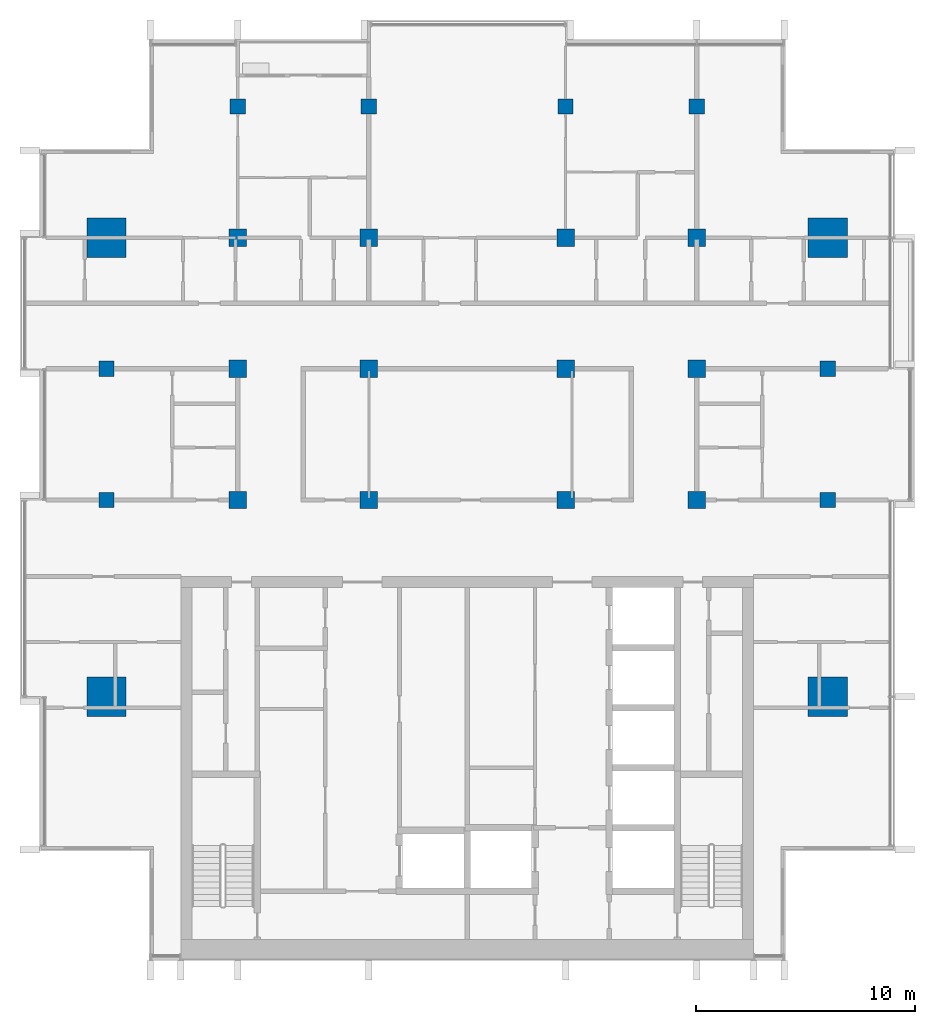
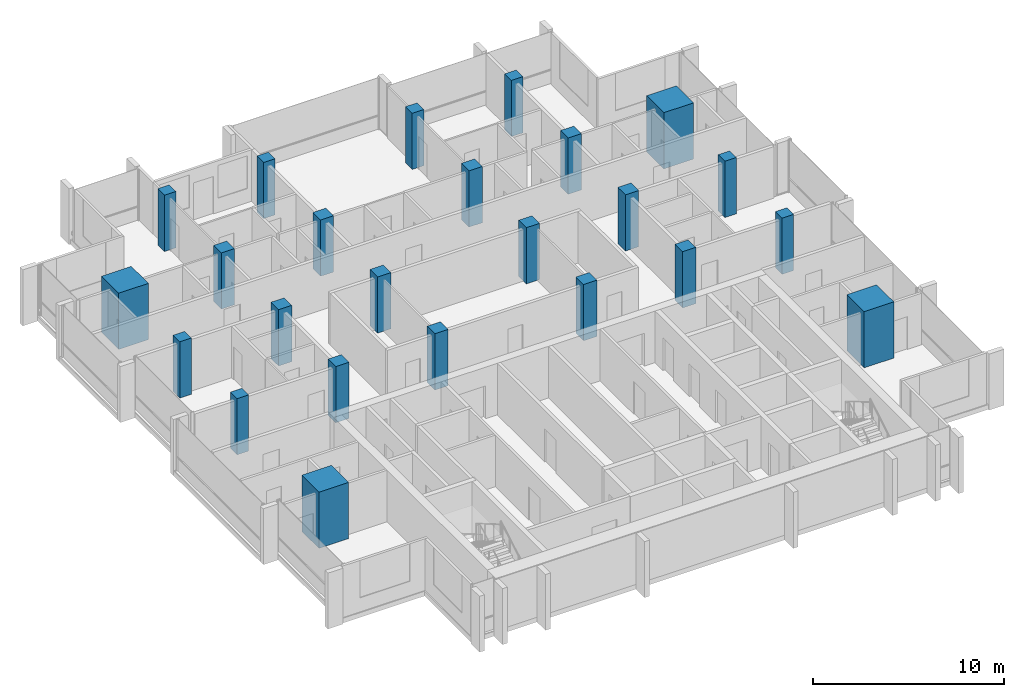
# One storey, part 1 of 16: 24 columns.
"""IFC4 building model written with IfcOpenShell, lengths in metres."""

from ifc_helpers import new_model, si_unit, direction, frame, origin, origin_2d, place, context, subcontext, project, spatial, rectangle, extrude, material, material_profile, profile_set, type_object, element, save


model = new_model("IFC4")

# Units and contexts
model_context = context("Model", 3, precision=1e-05, world=origin(), true_north=direction((0.0, 1.0)))
body_context = subcontext(model_context, "Body", "Model", "MODEL_VIEW")
ifc_project = project(units=[si_unit("LENGTHUNIT", "METRE"), si_unit("AREAUNIT", "SQUARE_METRE"), si_unit("VOLUMEUNIT", "CUBIC_METRE"), si_unit("PLANEANGLEUNIT", "RADIAN"), si_unit("MASSUNIT", "GRAM", prefix="KILO")], contexts=[model_context])

# Site, building, storey
site_placement = place(None, origin())
site = spatial("IfcSite", under=ifc_project, at=site_placement, CompositionType="ELEMENT")
building_placement = place(site_placement, origin())
building = spatial("IfcBuilding", under=site, at=building_placement, Name="Finial Court Residences", CompositionType="ELEMENT")
storey_placement = place(building_placement, frame((0.0, 0.0, 291.5)))
storey = spatial("IfcBuildingStorey", under=building, at=storey_placement, Name="L74", CompositionType="ELEMENT", Elevation=291.5)

# Columns
ifc_material = material(Name="Concrete C50/60", Category="concrete")
ifc_material_profile_1 = material_profile(ifc_material, rectangle(XDim=0.800048828125, YDim=0.800048828125, at=origin_2d()), Name="800x800")
ifc_profile_set_1 = profile_set([ifc_material_profile_1], Name="Concrete C50/60")
column_type_1 = type_object("IfcColumnType", Name="Interior column 800x800 Concrete C50/60", PredefinedType="COLUMN", material=ifc_profile_set_1)
for number, where, z_axis, x_axis, name in (
    (1, (-10.5, -4.5, 0.0), (0.0, 0.0, 1.0), (1.0, 0.0, 0.0), "S:COL:L74:D4"),
    (2, (-10.5, 1.5, 0.0), (0.0, 0.0, 1.0), (1.0, 0.0, 0.0), "S:COL:L74:D5"),
    (3, (-10.5, 7.5, 0.0), (0.0, 0.0, 1.0), (1.0, 0.0, 0.0), "S:COL:L74:D6"),
    (4, (-4.5, -4.5, 0.0), (0.0, 0.0, 1.0), (1.0, 0.0, 0.0), "S:COL:L74:E4"),
    (5, (-4.5, 1.5, 0.0), (0.0, 0.0, 1.0), (1.0, 0.0, 0.0), "S:COL:L74:E5"),
    (6, (-4.5, 7.5, 0.0), (0.0, 0.0, 1.0), (1.0, 0.0, 0.0), "S:COL:L74:E6"),
    (7, (4.5, -4.5, 0.0), (0.0, 0.0, 1.0), (1.0, 0.0, 0.0), "S:COL:L74:F4"),
    (8, (4.5, 1.5, 0.0), (0.0, 0.0, 1.0), (1.0, 0.0, 0.0), "S:COL:L74:F5"),
    (9, (4.5, 7.5, 0.0), (0.0, 0.0, 1.0), (1.0, 0.0, 0.0), "S:COL:L74:F6"),
    (10, (10.5, -4.5, 0.0), (0.0, 0.0, 1.0), (1.0, 0.0, 0.0), "S:COL:L74:G4"),
    (11, (10.5, 1.5, 0.0), (0.0, 0.0, 1.0), (1.0, 0.0, 0.0), "S:COL:L74:G5"),
    (12, (10.5, 7.5, 0.0), (0.0, 0.0, 1.0), (1.0, 0.0, 0.0), "S:COL:L74:G6"),
):
    element("IfcColumn", number, at=place(storey_placement, frame(where, z_axis=z_axis, x_axis=x_axis)), inside=storey, type_object=column_type_1, Name=name, PredefinedType="COLUMN", context=body_context, shape_type="SweptSolid", body=[
        extrude(rectangle(XDim=0.800048828125, YDim=0.800048828125, at=origin_2d()), origin(), (0.0, 0.0, 1.0), 3.60009765625),
    ])
ifc_material_profile_2 = material_profile(ifc_material, rectangle(XDim=1.800048828125, YDim=1.800048828125, at=origin_2d()), Name="1800x1800")
ifc_profile_set_2 = profile_set([ifc_material_profile_2], Name="Concrete C50/60")
column_type_2 = type_object("IfcColumnType", Name="Mega column 1800x1800 Concrete C50/60", PredefinedType="COLUMN", material=ifc_profile_set_2)
for number, where, z_axis, x_axis, name in (
    (13, (-16.5, -13.5, 0.0), (0.0, 0.0, 1.0), (1.0, 0.0, 0.0), "S:COL:L74:C3"),
    (14, (-16.5, 7.5, 0.0), (0.0, 0.0, 1.0), (1.0, 0.0, 0.0), "S:COL:L74:C6"),
    (15, (16.5, -13.5, 0.0), (0.0, 0.0, 1.0), (1.0, 0.0, 0.0), "S:COL:L74:H3"),
    (16, (16.5, 7.5, 0.0), (0.0, 0.0, 1.0), (1.0, 0.0, 0.0), "S:COL:L74:H6"),
):
    element("IfcColumn", number, at=place(storey_placement, frame(where, z_axis=z_axis, x_axis=x_axis)), inside=storey, type_object=column_type_2, Name=name, PredefinedType="COLUMN", context=body_context, shape_type="SweptSolid", body=[
        extrude(rectangle(XDim=1.800048828125, YDim=1.800048828125, at=origin_2d()), origin(), (0.0, 0.0, 1.0), 3.60009765625),
    ])
ifc_material_profile_3 = material_profile(ifc_material, rectangle(XDim=0.699951171875, YDim=0.699951171875, at=origin_2d()), Name="700x700")
ifc_profile_set_3 = profile_set([ifc_material_profile_3], Name="Concrete C50/60")
column_type_3 = type_object("IfcColumnType", Name="Perimeter column 700x700 Concrete C50/60", PredefinedType="COLUMN", material=ifc_profile_set_3)
for number, where, z_axis, x_axis, name in (
    (17, (-16.5, -4.5, 0.0), (0.0, 0.0, 1.0), (1.0, 0.0, 0.0), "S:COL:L74:C4"),
    (18, (-16.5, 1.5, 0.0), (0.0, 0.0, 1.0), (1.0, 0.0, 0.0), "S:COL:L74:C5"),
    (19, (-10.5, 13.5, 0.0), (0.0, 0.0, 1.0), (1.0, 0.0, 0.0), "S:COL:L74:D7"),
    (20, (-4.5, 13.5, 0.0), (0.0, 0.0, 1.0), (1.0, 0.0, 0.0), "S:COL:L74:E7"),
    (21, (4.5, 13.5, 0.0), (0.0, 0.0, 1.0), (1.0, 0.0, 0.0), "S:COL:L74:F7"),
    (22, (10.5, 13.5, 0.0), (0.0, 0.0, 1.0), (1.0, 0.0, 0.0), "S:COL:L74:G7"),
    (23, (16.5, -4.5, 0.0), (0.0, 0.0, 1.0), (1.0, 0.0, 0.0), "S:COL:L74:H4"),
    (24, (16.5, 1.5, 0.0), (0.0, 0.0, 1.0), (1.0, 0.0, 0.0), "S:COL:L74:H5"),
):
    element("IfcColumn", number, at=place(storey_placement, frame(where, z_axis=z_axis, x_axis=x_axis)), inside=storey, type_object=column_type_3, Name=name, PredefinedType="COLUMN", context=body_context, shape_type="SweptSolid", body=[
        extrude(rectangle(XDim=0.699951171875, YDim=0.699951171875, at=origin_2d()), origin(), (0.0, 0.0, 1.0), 3.60009765625),
    ])

save(model, "model.ifc")
